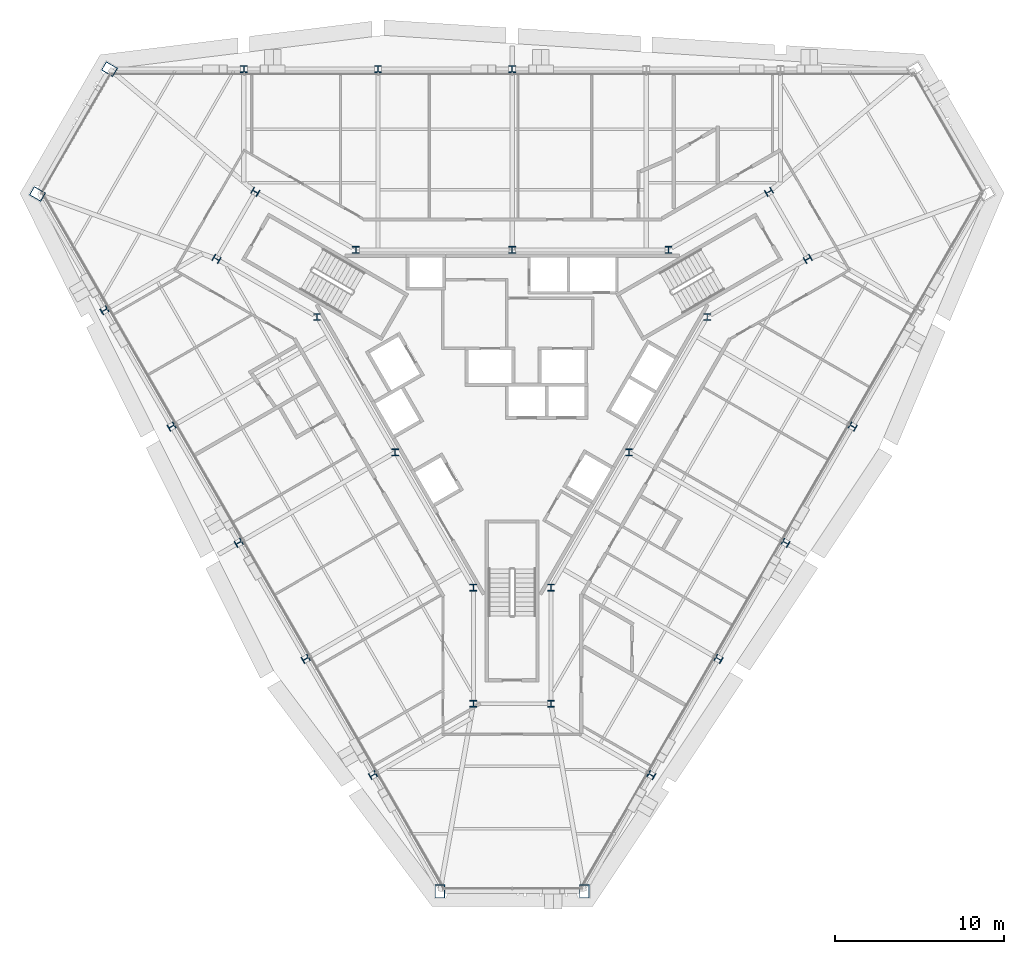
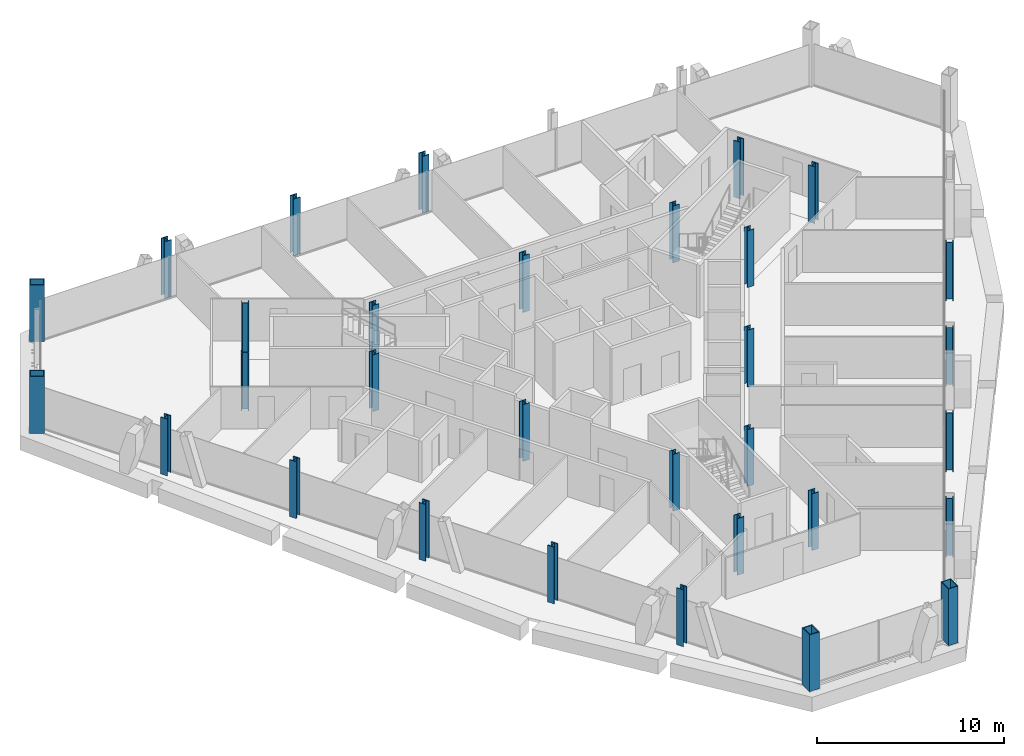
# One storey, part 1 of 14: 31 columns.
"""IFC4 building model written with IfcOpenShell, lengths in metres."""

import ifcopenshell
import ifcopenshell.guid

model = None  # the IFC model being written
_history = None  # IfcOwnerHistory: only IFC2X3 demands one
_inside = {}  # id of a spatial element -> (the spatial element, [elements in it])
_under = {}  # id of a project, library or spatial element -> (it, [spatial elements below it])
_declared = {}  # id of a project -> (the project, [libraries it declares])
_typed = {}  # id of a type object -> (the type object, [elements of that type])
_made_of = {}  # id of a material, layer set ... -> (it, [elements and type objects made of it])


def new_model(schema):
    """Start an empty IFC model of exactly this schema.

    Asked for "IFC4X3", IfcOpenShell would pick the latest addendum, in which some entities
    have other attributes; the version numbers below select the first issue.
    IFC2X3 requires an IfcOwnerHistory on every rooted entity: one is made here for all.
    """
    global model, _history
    if schema == "IFC4X3":
        model = ifcopenshell.file(schema_version=(4, 3, 0, 0))
    else:
        model = ifcopenshell.file(schema=schema)
    _inside.clear()
    _under.clear()
    _declared.clear()
    _typed.clear()
    _made_of.clear()
    _history = None
    if model.schema == "IFC2X3":
        org = make("IfcOrganization", Name="unknown")
        user = make(
            "IfcPersonAndOrganization",
            ThePerson=make("IfcPerson", FamilyName="unknown"),
            TheOrganization=org,
        )
        app = make(
            "IfcApplication",
            ApplicationDeveloper=org,
            Version="unknown",
            ApplicationFullName="unknown",
            ApplicationIdentifier="unknown",
        )
        _history = make(
            "IfcOwnerHistory",
            OwningUser=user,
            OwningApplication=app,
            ChangeAction="ADDED",
            CreationDate=0,
        )
    return model


def make(cls, **values):
    """One entity of the class cls with the attributes given. An attribute that is None is left unset."""
    return model.create_entity(
        cls, **{name: value for name, value in values.items() if value is not None}
    )


def rooted(cls, **values):
    """An entity with a GlobalId (a new one), such as an element, a storey or a relation."""
    return make(cls, GlobalId=ifcopenshell.guid.new(), OwnerHistory=_history, **values)


def si_unit(unit_type, name, prefix=None):
    """IfcSIUnit, for example si_unit("LENGTHUNIT", "METRE", prefix="MILLI")."""
    return make("IfcSIUnit", UnitType=unit_type, Prefix=prefix, Name=name)


def assignment(units):
    """IfcUnitAssignment: the units of a project."""
    return None if units is None else make("IfcUnitAssignment", Units=units)


def point(xyz):
    """IfcCartesianPoint."""
    return None if xyz is None else make("IfcCartesianPoint", Coordinates=xyz)


def direction(xyz):
    """IfcDirection."""
    return None if xyz is None else make("IfcDirection", DirectionRatios=xyz)


def frame(location, z_axis=None, x_axis=None):
    """IfcAxis2Placement3D, a coordinate frame: its origin and axes. An axis left out is left unset."""
    return make(
        "IfcAxis2Placement3D",
        Location=point(location),
        Axis=direction(z_axis),
        RefDirection=direction(x_axis),
    )


def frame_2d(location, x_axis=None):
    """IfcAxis2Placement2D, a coordinate frame in the plane: its origin and x axis."""
    return make(
        "IfcAxis2Placement2D", Location=point(location), RefDirection=direction(x_axis)
    )


def origin():
    """The frame at (0, 0, 0) with its axes left unset."""
    return frame((0.0, 0.0, 0.0))


def origin_2d():
    """The frame at (0, 0) in the plane with its x axis left unset."""
    return frame_2d((0.0, 0.0))


def place(relative_to, where):
    """IfcLocalPlacement: puts the frame where relative to a parent placement (None: the world)."""
    return make(
        "IfcLocalPlacement", PlacementRelTo=relative_to, RelativePlacement=where
    )


def context(
    kind, dimensions, precision=None, world=None, true_north=None, identifier=None
):
    """IfcGeometricRepresentationContext, for example the 3D "Model" context."""
    return make(
        "IfcGeometricRepresentationContext",
        ContextIdentifier=identifier,
        ContextType=kind,
        CoordinateSpaceDimension=dimensions,
        Precision=precision,
        WorldCoordinateSystem=world,
        TrueNorth=true_north,
    )


def subcontext(parent, identifier, kind, view, scale=None):
    """IfcGeometricRepresentationSubContext, for example "Body" below "Model"."""
    return make(
        "IfcGeometricRepresentationSubContext",
        ContextIdentifier=identifier,
        ContextType=kind,
        ParentContext=parent,
        TargetScale=scale,
        TargetView=view,
    )


def project(units=None, contexts=None):
    """IfcProject with its units and contexts."""
    return rooted(
        "IfcProject",
        Name="project",
        RepresentationContexts=contexts,
        UnitsInContext=assignment(units),
    )


def spatial(cls, under=None, at=None, **own):
    """A site, building, storey or space (cls), placed at a placement, below another one or the project."""
    s = rooted(cls, ObjectPlacement=at, **own)
    if under is not None:
        _under.setdefault(under.id(), (under, []))[1].append(s)
    return s


def profile(cls, at=None, kind="AREA", **sizes):
    """A parametric profile (cls). Its sizes go by their IFC names, for example OverallWidth=200.0."""
    return make(cls, ProfileType=kind, Position=at, **sizes)


def hollow_rectangle(**sizes):
    """IfcRectangleHollowProfileDef."""
    return profile("IfcRectangleHollowProfileDef", **sizes)


def i_section(**sizes):
    """IfcIShapeProfileDef."""
    return profile("IfcIShapeProfileDef", **sizes)


def extrude(swept, where, along, depth):
    """IfcExtrudedAreaSolid: the profile swept, set in the frame where, extruded along a direction by depth."""
    return make(
        "IfcExtrudedAreaSolid",
        SweptArea=swept,
        Position=where,
        ExtrudedDirection=direction(along),
        Depth=depth,
    )


def shape(context_of_items, identifier, shape_type, items):
    """IfcShapeRepresentation: the items that make up one representation, for example the "Body"."""
    return make(
        "IfcShapeRepresentation",
        ContextOfItems=context_of_items,
        RepresentationIdentifier=identifier,
        RepresentationType=shape_type,
        Items=items,
    )


def material(Name=None, Category=None):
    """IfcMaterial."""
    return make("IfcMaterial", Name=Name, Category=Category)


def material_profile(
    of_material, cross_section, Name=None, Category=None, Priority=None
):
    """IfcMaterialProfile: a cross section and its material."""
    return make(
        "IfcMaterialProfile",
        Name=Name,
        Material=of_material,
        Profile=cross_section,
        Priority=Priority,
        Category=Category,
    )


def profile_set(profiles, Name=None, composite=None):
    """IfcMaterialProfileSet."""
    return make(
        "IfcMaterialProfileSet",
        Name=Name,
        MaterialProfiles=profiles,
        CompositeProfile=composite,
    )


def made_of(thing, what):
    """Note that an element or type object is made of a material, layer set ...; save() writes the relation."""
    if what is not None:
        _made_of.setdefault(what.id(), (what, []))[1].append(thing)
    return thing


def type_object(cls, material=None, **own):
    """A type object (cls), such as IfcWallType, which elements share."""
    return made_of(rooted(cls, **own), material)


def element(
    cls,
    number,
    at=None,
    inside=None,
    cuts=None,
    type_object=None,
    material=None,
    context=None,
    identifier="Body",
    shape_type=None,
    held_by="IfcProductDefinitionShape",
    body=None,
    shapes=None,
    **own,
):
    """One element of the class cls, such as IfcWall. Its Tag is "e" and its number.

    at: its placement. inside: the storey or other place that contains it. cuts: it is an
    opening in that element (IfcRelVoidsElement). A single representation is given by context,
    identifier, shape_type and body (its items); several are given by shapes. held_by: the class
    of the entity that holds the representations. save() writes the other relations.
    """
    e = rooted(cls, Tag="e%d" % number, ObjectPlacement=at, **own)
    if body is not None:
        shapes = [shape(context, identifier, shape_type, body)]
    if shapes is not None:
        e.Representation = make(held_by, Representations=shapes)
    if inside is not None:
        _inside.setdefault(inside.id(), (inside, []))[1].append(e)
    if cuts is not None:
        rooted(
            "IfcRelVoidsElement", RelatingBuildingElement=cuts, RelatedOpeningElement=e
        )
    if type_object is not None:
        _typed.setdefault(type_object.id(), (type_object, []))[1].append(e)
    return made_of(e, material)


def aggregate(whole, parts):
    """IfcRelAggregates: a whole, such as a stair, and the parts it consists of."""
    return rooted("IfcRelAggregates", RelatingObject=whole, RelatedObjects=parts)


def save(model, path):
    """Write the relations noted so far, then the file.

    IfcRelAggregates (storeys below a building ...), IfcRelContainedInSpatialStructure (elements
    in a storey), IfcRelDefinesByType, IfcRelAssociatesMaterial and IfcRelDeclares: one each for
    every whole, place, type object, material and project.
    """
    for whole, parts in _under.values():
        aggregate(whole, parts)
    for where, things in _inside.values():
        rooted(
            "IfcRelContainedInSpatialStructure",
            RelatedElements=things,
            RelatingStructure=where,
        )
    for kind, things in _typed.values():
        rooted("IfcRelDefinesByType", RelatedObjects=things, RelatingType=kind)
    for what, things in _made_of.values():
        rooted("IfcRelAssociatesMaterial", RelatedObjects=things, RelatingMaterial=what)
    for by, libraries in _declared.values():
        rooted("IfcRelDeclares", RelatingContext=by, RelatedDefinitions=libraries)
    model.write(path)


model = new_model("IFC4")

# Units and contexts
model_context = context("Model", 3, precision=1e-05, world=origin(), true_north=direction((0.0, 1.0)))
body_context = subcontext(model_context, "Body", "Model", "MODEL_VIEW")
ifc_project = project(units=[si_unit("LENGTHUNIT", "METRE"), si_unit("AREAUNIT", "SQUARE_METRE"), si_unit("VOLUMEUNIT", "CUBIC_METRE"), si_unit("PLANEANGLEUNIT", "RADIAN"), si_unit("MASSUNIT", "GRAM", prefix="KILO")], contexts=[model_context])

# Site, building, storey
site_placement = place(None, origin())
site = spatial("IfcSite", under=ifc_project, at=site_placement, CompositionType="ELEMENT")
building_placement = place(site_placement, origin())
building = spatial("IfcBuilding", under=site, at=building_placement, Name="Verrane Prism Tower", CompositionType="ELEMENT")
storey_placement = place(building_placement, frame((0.0, 0.0, 193.199951171875)))
storey = spatial("IfcBuildingStorey", under=building, at=storey_placement, Name="L48", CompositionType="ELEMENT", Elevation=193.199951171875)

# Columns
ifc_material_1 = material(Name="Steel A992", Category="steel")
ifc_material_profile_1 = material_profile(ifc_material_1, i_section(OverallWidth=0.406494140625, OverallDepth=0.41650390625, WebThickness=0.030029296875, FlangeThickness=0.048095703125, FilletRadius=0.01513671875, at=origin_2d()), Name="W14x257")
ifc_profile_set_1 = profile_set([ifc_material_profile_1], Name="Steel A992")
column_type_1 = type_object("IfcColumnType", Name="Core corner column W14x257", PredefinedType="COLUMN", material=ifc_profile_set_1)
for number, where, z_axis, x_axis, name in (
    (1, (17.52001953125, 7.4599609375, 0.0), (0.0, 0.0, 1.0), (0.5, -0.866025403784, 0.0), "Core corner column CK-NEm L48"),
    (2, (15.219970703125, 11.43994140625, 0.0), (0.0, 0.0, 1.0), (0.5, -0.866025403784, 0.0), "Core corner column CK-NEp L48"),
    (3, (-15.219970703125, 11.43994140625, 0.0), (0.0, 0.0, 1.0), (0.5, 0.866025403784, 0.0), "Core corner column CK-NWm L48"),
    (4, (-17.52001953125, 7.4599609375, 0.0), (0.0, 0.0, 1.0), (0.5, 0.866025403784, 0.0), "Core corner column CK-NWp L48"),
    (5, (-2.300048828125, -18.89990234375, 0.0), (0.0, 0.0, 1.0), (-1.0, 0.0, 0.0), "Core corner column CK-Sm L48"),
    (6, (2.300048828125, -18.89990234375, 0.0), (0.0, 0.0, 1.0), (-1.0, 0.0, 0.0), "Core corner column CK-Sp L48"),
):
    element("IfcColumn", number, at=place(storey_placement, frame(where, z_axis=z_axis, x_axis=x_axis)), inside=storey, type_object=column_type_1, Name=name, PredefinedType="COLUMN", context=body_context, shape_type="SweptSolid", body=[
        extrude(i_section(OverallWidth=0.406494140625, OverallDepth=0.41650390625, WebThickness=0.030029296875, FlangeThickness=0.048095703125, FilletRadius=0.01513671875, at=origin_2d()), origin(), (0.0, 0.0, 1.0), 3.699951171875),
    ])
ifc_material_2 = material(Name="Steel A992", Category="steel")
ifc_material_profile_2 = material_profile(ifc_material_2, i_section(OverallWidth=0.4013671875, OverallDepth=0.398681640625, WebThickness=0.02490234375, FlangeThickness=0.03955078125, FilletRadius=0.01513671875, at=origin_2d()), Name="W14x211")
ifc_profile_set_2 = profile_set([ifc_material_profile_2], Name="Steel A992")
column_type_2 = type_object("IfcColumnType", Name="Core side column W14x211", PredefinedType="COLUMN", material=ifc_profile_set_2)
for number, where, z_axis, x_axis, name in (
    (7, (11.56005859375, 4.02001953125, 0.0), (0.0, 0.0, 1.0), (1.0, 0.0, 0.0), "Core side column CC-NEm L48"),
    (8, (9.260009765625, 8.0, 0.0), (0.0, 0.0, 1.0), (1.0, 0.0, 0.0), "Core side column CC-NEp L48"),
    (9, (0.0, 8.0, 0.0), (0.0, 0.0, 1.0), (1.0, 0.0, 0.0), "Core side column CC-N0 L48"),
    (10, (-9.260009765625, 8.0, 0.0), (0.0, 0.0, 1.0), (1.0, 0.0, 0.0), "Core side column CC-NWm L48"),
    (11, (-11.56005859375, 4.02001953125, 0.0), (0.0, 0.0, 1.0), (1.0, 0.0, 0.0), "Core side column CC-NWp L48"),
    (12, (-6.929931640625, -4.0, 0.0), (0.0, 0.0, 1.0), (1.0, 0.0, 0.0), "Core side column CC-SW0 L48"),
    (13, (-2.300048828125, -12.02001953125, 0.0), (0.0, 0.0, 1.0), (1.0, 0.0, 0.0), "Core side column CC-Sm L48"),
    (14, (2.300048828125, -12.02001953125, 0.0), (0.0, 0.0, 1.0), (1.0, 0.0, 0.0), "Core side column CC-Sp L48"),
    (15, (6.929931640625, -4.0, 0.0), (0.0, 0.0, 1.0), (1.0, 0.0, 0.0), "Core side column CC-SE0 L48"),
):
    element("IfcColumn", number, at=place(storey_placement, frame(where, z_axis=z_axis, x_axis=x_axis)), inside=storey, type_object=column_type_2, Name=name, PredefinedType="COLUMN", context=body_context, shape_type="SweptSolid", body=[
        extrude(i_section(OverallWidth=0.4013671875, OverallDepth=0.398681640625, WebThickness=0.02490234375, FlangeThickness=0.03955078125, FilletRadius=0.01513671875, at=origin_2d()), origin(), (0.0, 0.0, 1.0), 3.699951171875),
    ])
ifc_material_3 = material(Name="Steel A572 Grade 50", Category="steel")
ifc_material_profile_3 = material_profile(ifc_material_3, hollow_rectangle(XDim=0.60009765625, YDim=0.800048828125, WallThickness=0.050048828125, at=origin_2d()), Name="BOX 800x600x50")
ifc_profile_set_3 = profile_set([ifc_material_profile_3], Name="Steel A572 Grade 50")
column_type_3 = type_object("IfcColumnType", Name="Megacolumn BOX 800x600x50", PredefinedType="COLUMN", material=ifc_profile_set_3)
for number, where, z_axis, x_axis, name in (
    (16, (-23.860107421875, 18.7099609375, 0.0), (0.0, 0.0, 1.0), (0.5, 0.866025403784, 0.0), "Megacolumn MC-NW.a L48"),
    (17, (-28.1298828125, 11.31005859375, 0.0), (0.0, 0.0, 1.0), (0.5, 0.866025403784, 0.0), "Megacolumn MC-NW.b L48"),
    (18, (-4.280029296875, -30.02001953125, 0.0), (0.0, 0.0, 1.0), (-1.0, 0.0, 0.0), "Megacolumn MC-S.a L48"),
    (19, (4.280029296875, -30.02001953125, 0.0), (0.0, 0.0, 1.0), (-1.0, 0.0, 0.0), "Megacolumn MC-S.b L48"),
):
    element("IfcColumn", number, at=place(storey_placement, frame(where, z_axis=z_axis, x_axis=x_axis)), inside=storey, type_object=column_type_3, Name=name, PredefinedType="COLUMN", context=body_context, shape_type="SweptSolid", body=[
        extrude(hollow_rectangle(XDim=0.60009765625, YDim=0.800048828125, WallThickness=0.050048828125, at=origin_2d()), origin(), (0.0, 0.0, 1.0), 3.699951171875),
    ])
ifc_material_4 = material(Name="Steel A992", Category="steel")
ifc_material_profile_4 = material_profile(ifc_material_4, i_section(OverallWidth=0.406494140625, OverallDepth=0.41650390625, WebThickness=0.030029296875, FlangeThickness=0.048095703125, FilletRadius=0.01513671875, at=origin_2d()), Name="W14x257")
ifc_profile_set_4 = profile_set([ifc_material_profile_4], Name="Steel A992")
column_type_4 = type_object("IfcColumnType", Name="Perimeter column W14x257", PredefinedType="COLUMN", material=ifc_profile_set_4)
for number, where, z_axis, x_axis, name in (
    (20, (0.0, 18.7099609375, 0.0), (0.0, 0.0, 1.0), (1.0, 0.0, 0.0), "Perimeter column PC-N3 L48"),
    (21, (-7.949951171875, 18.7099609375, 0.0), (0.0, 0.0, 1.0), (1.0, 0.0, 0.0), "Perimeter column PC-N4 L48"),
    (22, (-15.89990234375, 18.7099609375, 0.0), (0.0, 0.0, 1.0), (1.0, 0.0, 0.0), "Perimeter column PC-N5 L48"),
    (23, (-24.159912109375, 4.419921875, 0.0), (0.0, 0.0, 1.0), (-0.5, 0.866025403784, 0.0), "Perimeter column PC-SW1 L48"),
    (24, (-20.179931640625, -2.469970703125, 0.0), (0.0, 0.0, 1.0), (-0.5, 0.866025403784, 0.0), "Perimeter column PC-SW2 L48"),
    (25, (-16.199951171875, -9.360107421875, 0.0), (0.0, 0.0, 1.0), (-0.5, 0.866025403784, 0.0), "Perimeter column PC-SW3 L48"),
    (26, (-12.22998046875, -16.239990234375, 0.0), (0.0, 0.0, 1.0), (-0.5, 0.866025403784, 0.0), "Perimeter column PC-SW4 L48"),
    (27, (-8.25, -23.1298828125, 0.0), (0.0, 0.0, 1.0), (-0.5, 0.866025403784, 0.0), "Perimeter column PC-SW5 L48"),
    (28, (8.25, -23.1298828125, 0.0), (0.0, 0.0, 1.0), (-0.5, -0.866025403784, 0.0), "Perimeter column PC-SE1 L48"),
    (29, (12.22998046875, -16.239990234375, 0.0), (0.0, 0.0, 1.0), (-0.5, -0.866025403784, 0.0), "Perimeter column PC-SE2 L48"),
    (30, (16.199951171875, -9.360107421875, 0.0), (0.0, 0.0, 1.0), (-0.5, -0.866025403784, 0.0), "Perimeter column PC-SE3 L48"),
    (31, (20.179931640625, -2.469970703125, 0.0), (0.0, 0.0, 1.0), (-0.5, -0.866025403784, 0.0), "Perimeter column PC-SE4 L48"),
):
    element("IfcColumn", number, at=place(storey_placement, frame(where, z_axis=z_axis, x_axis=x_axis)), inside=storey, type_object=column_type_4, Name=name, PredefinedType="COLUMN", context=body_context, shape_type="SweptSolid", body=[
        extrude(i_section(OverallWidth=0.406494140625, OverallDepth=0.41650390625, WebThickness=0.030029296875, FlangeThickness=0.048095703125, FilletRadius=0.01513671875, at=origin_2d()), origin(), (0.0, 0.0, 1.0), 3.699951171875),
    ])

save(model, "model.ifc")
